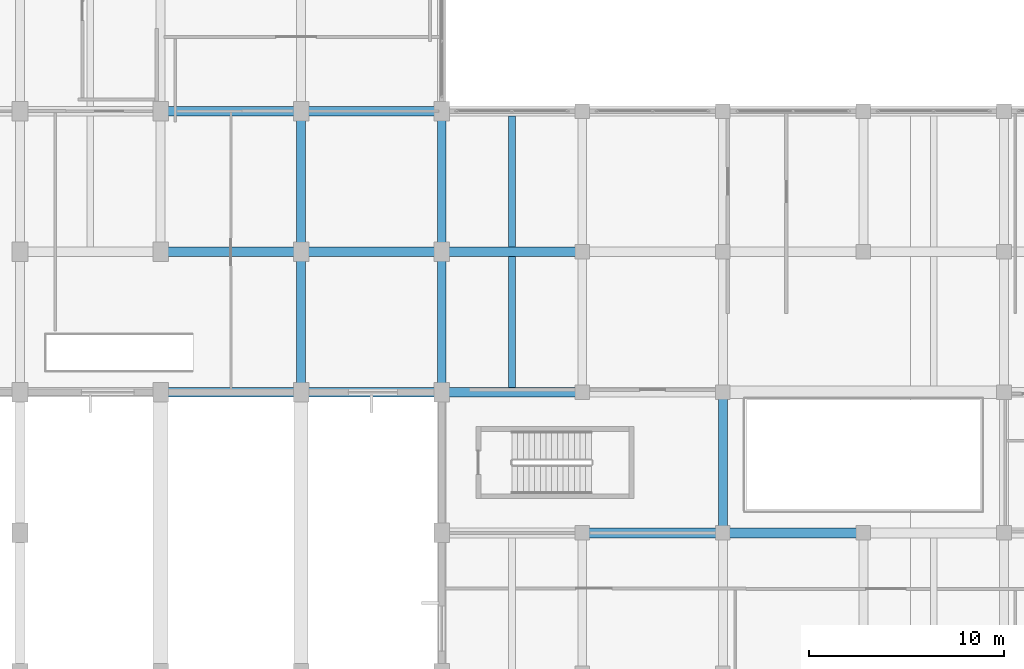
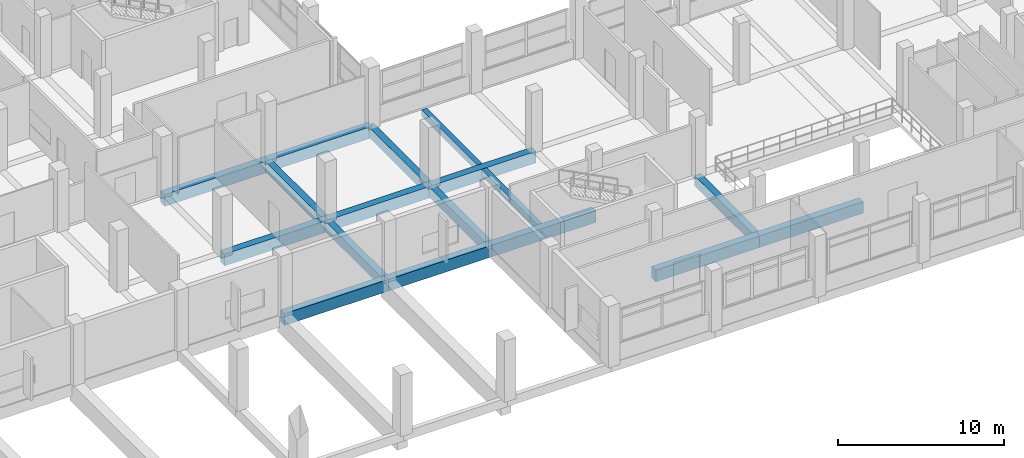
# One storey, part 11 of 141: 17 beams.
"""IFC4 building model written with IfcOpenShell, lengths in metres."""

import ifcopenshell
import ifcopenshell.guid

model = None  # the IFC model being written
_history = None  # IfcOwnerHistory: only IFC2X3 demands one
_inside = {}  # id of a spatial element -> (the spatial element, [elements in it])
_under = {}  # id of a project, library or spatial element -> (it, [spatial elements below it])
_declared = {}  # id of a project -> (the project, [libraries it declares])
_typed = {}  # id of a type object -> (the type object, [elements of that type])
_made_of = {}  # id of a material, layer set ... -> (it, [elements and type objects made of it])


def new_model(schema):
    """Start an empty IFC model of exactly this schema.

    Asked for "IFC4X3", IfcOpenShell would pick the latest addendum, in which some entities
    have other attributes; the version numbers below select the first issue.
    IFC2X3 requires an IfcOwnerHistory on every rooted entity: one is made here for all.
    """
    global model, _history
    if schema == "IFC4X3":
        model = ifcopenshell.file(schema_version=(4, 3, 0, 0))
    else:
        model = ifcopenshell.file(schema=schema)
    _inside.clear()
    _under.clear()
    _declared.clear()
    _typed.clear()
    _made_of.clear()
    _history = None
    if model.schema == "IFC2X3":
        org = make("IfcOrganization", Name="unknown")
        user = make(
            "IfcPersonAndOrganization",
            ThePerson=make("IfcPerson", FamilyName="unknown"),
            TheOrganization=org,
        )
        app = make(
            "IfcApplication",
            ApplicationDeveloper=org,
            Version="unknown",
            ApplicationFullName="unknown",
            ApplicationIdentifier="unknown",
        )
        _history = make(
            "IfcOwnerHistory",
            OwningUser=user,
            OwningApplication=app,
            ChangeAction="ADDED",
            CreationDate=0,
        )
    return model


def make(cls, **values):
    """One entity of the class cls with the attributes given. An attribute that is None is left unset."""
    return model.create_entity(
        cls, **{name: value for name, value in values.items() if value is not None}
    )


def rooted(cls, **values):
    """An entity with a GlobalId (a new one), such as an element, a storey or a relation."""
    return make(cls, GlobalId=ifcopenshell.guid.new(), OwnerHistory=_history, **values)


def si_unit(unit_type, name, prefix=None):
    """IfcSIUnit, for example si_unit("LENGTHUNIT", "METRE", prefix="MILLI")."""
    return make("IfcSIUnit", UnitType=unit_type, Prefix=prefix, Name=name)


def assignment(units):
    """IfcUnitAssignment: the units of a project."""
    return None if units is None else make("IfcUnitAssignment", Units=units)


def point(xyz):
    """IfcCartesianPoint."""
    return None if xyz is None else make("IfcCartesianPoint", Coordinates=xyz)


def direction(xyz):
    """IfcDirection."""
    return None if xyz is None else make("IfcDirection", DirectionRatios=xyz)


def frame(location, z_axis=None, x_axis=None):
    """IfcAxis2Placement3D, a coordinate frame: its origin and axes. An axis left out is left unset."""
    return make(
        "IfcAxis2Placement3D",
        Location=point(location),
        Axis=direction(z_axis),
        RefDirection=direction(x_axis),
    )


def frame_2d(location, x_axis=None):
    """IfcAxis2Placement2D, a coordinate frame in the plane: its origin and x axis."""
    return make(
        "IfcAxis2Placement2D", Location=point(location), RefDirection=direction(x_axis)
    )


def origin():
    """The frame at (0, 0, 0) with its axes left unset."""
    return frame((0.0, 0.0, 0.0))


def origin_2d():
    """The frame at (0, 0) in the plane with its x axis left unset."""
    return frame_2d((0.0, 0.0))


def place(relative_to, where):
    """IfcLocalPlacement: puts the frame where relative to a parent placement (None: the world)."""
    return make(
        "IfcLocalPlacement", PlacementRelTo=relative_to, RelativePlacement=where
    )


def context(
    kind, dimensions, precision=None, world=None, true_north=None, identifier=None
):
    """IfcGeometricRepresentationContext, for example the 3D "Model" context."""
    return make(
        "IfcGeometricRepresentationContext",
        ContextIdentifier=identifier,
        ContextType=kind,
        CoordinateSpaceDimension=dimensions,
        Precision=precision,
        WorldCoordinateSystem=world,
        TrueNorth=true_north,
    )


def subcontext(parent, identifier, kind, view, scale=None):
    """IfcGeometricRepresentationSubContext, for example "Body" below "Model"."""
    return make(
        "IfcGeometricRepresentationSubContext",
        ContextIdentifier=identifier,
        ContextType=kind,
        ParentContext=parent,
        TargetScale=scale,
        TargetView=view,
    )


def project(units=None, contexts=None):
    """IfcProject with its units and contexts."""
    return rooted(
        "IfcProject",
        Name="project",
        RepresentationContexts=contexts,
        UnitsInContext=assignment(units),
    )


def spatial(cls, under=None, at=None, **own):
    """A site, building, storey or space (cls), placed at a placement, below another one or the project."""
    s = rooted(cls, ObjectPlacement=at, **own)
    if under is not None:
        _under.setdefault(under.id(), (under, []))[1].append(s)
    return s


def profile(cls, at=None, kind="AREA", **sizes):
    """A parametric profile (cls). Its sizes go by their IFC names, for example OverallWidth=200.0."""
    return make(cls, ProfileType=kind, Position=at, **sizes)


def rectangle(**sizes):
    """IfcRectangleProfileDef."""
    return profile("IfcRectangleProfileDef", **sizes)


def extrude(swept, where, along, depth):
    """IfcExtrudedAreaSolid: the profile swept, set in the frame where, extruded along a direction by depth."""
    return make(
        "IfcExtrudedAreaSolid",
        SweptArea=swept,
        Position=where,
        ExtrudedDirection=direction(along),
        Depth=depth,
    )


def shape(context_of_items, identifier, shape_type, items):
    """IfcShapeRepresentation: the items that make up one representation, for example the "Body"."""
    return make(
        "IfcShapeRepresentation",
        ContextOfItems=context_of_items,
        RepresentationIdentifier=identifier,
        RepresentationType=shape_type,
        Items=items,
    )


def material(Name=None, Category=None):
    """IfcMaterial."""
    return make("IfcMaterial", Name=Name, Category=Category)


def material_profile(
    of_material, cross_section, Name=None, Category=None, Priority=None
):
    """IfcMaterialProfile: a cross section and its material."""
    return make(
        "IfcMaterialProfile",
        Name=Name,
        Material=of_material,
        Profile=cross_section,
        Priority=Priority,
        Category=Category,
    )


def profile_set(profiles, Name=None, composite=None):
    """IfcMaterialProfileSet."""
    return make(
        "IfcMaterialProfileSet",
        Name=Name,
        MaterialProfiles=profiles,
        CompositeProfile=composite,
    )


def made_of(thing, what):
    """Note that an element or type object is made of a material, layer set ...; save() writes the relation."""
    if what is not None:
        _made_of.setdefault(what.id(), (what, []))[1].append(thing)
    return thing


def type_object(cls, material=None, **own):
    """A type object (cls), such as IfcWallType, which elements share."""
    return made_of(rooted(cls, **own), material)


def element(
    cls,
    number,
    at=None,
    inside=None,
    cuts=None,
    type_object=None,
    material=None,
    context=None,
    identifier="Body",
    shape_type=None,
    held_by="IfcProductDefinitionShape",
    body=None,
    shapes=None,
    **own,
):
    """One element of the class cls, such as IfcWall. Its Tag is "e" and its number.

    at: its placement. inside: the storey or other place that contains it. cuts: it is an
    opening in that element (IfcRelVoidsElement). A single representation is given by context,
    identifier, shape_type and body (its items); several are given by shapes. held_by: the class
    of the entity that holds the representations. save() writes the other relations.
    """
    e = rooted(cls, Tag="e%d" % number, ObjectPlacement=at, **own)
    if body is not None:
        shapes = [shape(context, identifier, shape_type, body)]
    if shapes is not None:
        e.Representation = make(held_by, Representations=shapes)
    if inside is not None:
        _inside.setdefault(inside.id(), (inside, []))[1].append(e)
    if cuts is not None:
        rooted(
            "IfcRelVoidsElement", RelatingBuildingElement=cuts, RelatedOpeningElement=e
        )
    if type_object is not None:
        _typed.setdefault(type_object.id(), (type_object, []))[1].append(e)
    return made_of(e, material)


def aggregate(whole, parts):
    """IfcRelAggregates: a whole, such as a stair, and the parts it consists of."""
    return rooted("IfcRelAggregates", RelatingObject=whole, RelatedObjects=parts)


def save(model, path):
    """Write the relations noted so far, then the file.

    IfcRelAggregates (storeys below a building ...), IfcRelContainedInSpatialStructure (elements
    in a storey), IfcRelDefinesByType, IfcRelAssociatesMaterial and IfcRelDeclares: one each for
    every whole, place, type object, material and project.
    """
    for whole, parts in _under.values():
        aggregate(whole, parts)
    for where, things in _inside.values():
        rooted(
            "IfcRelContainedInSpatialStructure",
            RelatedElements=things,
            RelatingStructure=where,
        )
    for kind, things in _typed.values():
        rooted("IfcRelDefinesByType", RelatedObjects=things, RelatingType=kind)
    for what, things in _made_of.values():
        rooted("IfcRelAssociatesMaterial", RelatedObjects=things, RelatingMaterial=what)
    for by, libraries in _declared.values():
        rooted("IfcRelDeclares", RelatingContext=by, RelatedDefinitions=libraries)
    model.write(path)


model = new_model("IFC4")

# Units and contexts
model_context = context("Model", 3, precision=1e-05, world=origin(), true_north=direction((0.0, 1.0)))
body_context = subcontext(model_context, "Body", "Model", "MODEL_VIEW")
ifc_project = project(units=[si_unit("LENGTHUNIT", "METRE"), si_unit("AREAUNIT", "SQUARE_METRE"), si_unit("VOLUMEUNIT", "CUBIC_METRE"), si_unit("PLANEANGLEUNIT", "RADIAN"), si_unit("MASSUNIT", "GRAM", prefix="KILO")], contexts=[model_context])

# Site, building, storey
site_placement = place(None, origin())
site = spatial("IfcSite", under=ifc_project, at=site_placement, CompositionType="ELEMENT")
building_placement = place(site_placement, origin())
building = spatial("IfcBuilding", under=site, at=building_placement, Name="Seraya Terrace Polytechnic", CompositionType="ELEMENT")
storey_placement = place(building_placement, frame((0.0, 0.0, 14.39990234375)))
storey = spatial("IfcBuildingStorey", under=building, at=storey_placement, Name="L03", CompositionType="ELEMENT", Elevation=14.39990234375)

# Beams
ifc_material = material(Name="Concrete C40/50", Category="concrete")
ifc_material_profile_1 = material_profile(ifc_material, rectangle(XDim=0.5, YDim=0.85009765625, at=origin_2d()), Name="RC 500x850")
ifc_profile_set_1 = profile_set([ifc_material_profile_1], Name="Concrete C40/50")
beam_type_1 = type_object("IfcBeamType", Name="BM-05", PredefinedType="BEAM", material=ifc_profile_set_1)
beam_1_placement = place(storey_placement, frame((50.39990234375, 7.199951171875, -0.4248046875), z_axis=(1.0, 0.0, 0.0), x_axis=(0.0, 1.0, 0.0)))
element("IfcBeam", 1, at=beam_1_placement, inside=storey, type_object=beam_type_1, Name="Beam BM-05 L03 X (50.4..57.6, 7.2)", PredefinedType="BEAM", context=body_context, shape_type="SweptSolid", body=[
    extrude(rectangle(XDim=0.5, YDim=0.85009765625, at=origin_2d()), origin(), (0.0, 0.0, 1.0), 7.2001953125),
])
for number, where, z_axis, x_axis, name in (
    (2, (57.60009765625, 7.199951171875, -0.4248046875), (1.0, 0.0, 0.0), (0.0, 1.0, 0.0), "Beam BM-05 L03 X (57.6..64.8, 7.2)"),
    (3, (28.800048828125, 14.39990234375, -0.4248046875), (1.0, 0.0, 0.0), (0.0, 1.0, 0.0), "Beam BM-05 L03 X (28.8..36.0, 14.4)"),
    (4, (36.0, 14.39990234375, -0.4248046875), (1.0, 0.0, 0.0), (0.0, 1.0, 0.0), "Beam BM-05 L03 X (36.0..43.2, 14.4)"),
    (5, (43.199951171875, 14.39990234375, -0.4248046875), (1.0, 0.0, 0.0), (0.0, 1.0, 0.0), "Beam BM-05 L03 X (43.2..50.4, 14.4)"),
    (6, (28.800048828125, 21.60009765625, -0.4248046875), (1.0, 0.0, 0.0), (0.0, 1.0, 0.0), "Beam BM-05 L03 X (28.8..36.0, 21.6)"),
    (7, (36.0, 21.60009765625, -0.4248046875), (1.0, 0.0, 0.0), (0.0, 1.0, 0.0), "Beam BM-05 L03 X (36.0..43.2, 21.6)"),
    (8, (43.199951171875, 21.60009765625, -0.4248046875), (1.0, 0.0, 0.0), (0.0, 1.0, 0.0), "Beam BM-05 L03 X (43.2..50.4, 21.6)"),
    (9, (28.800048828125, 28.800048828125, -0.4248046875), (1.0, 0.0, 0.0), (0.0, 1.0, 0.0), "Beam BM-05 L03 X (28.8..36.0, 28.8)"),
    (10, (36.0, 28.800048828125, -0.4248046875), (1.0, 0.0, 0.0), (0.0, 1.0, 0.0), "Beam BM-05 L03 X (36.0..43.2, 28.8)"),
):
    element("IfcBeam", number, at=place(storey_placement, frame(where, z_axis=z_axis, x_axis=x_axis)), inside=storey, type_object=beam_type_1, Name=name, PredefinedType="BEAM", context=body_context, shape_type="SweptSolid", body=[
        extrude(rectangle(XDim=0.5, YDim=0.85009765625, at=origin_2d()), origin(), (0.0, 0.0, 1.0), 7.199951171875),
    ])
ifc_material_profile_2 = material_profile(ifc_material, rectangle(XDim=0.449951171875, YDim=0.75, at=origin_2d()), Name="RC 450x750")
ifc_profile_set_2 = profile_set([ifc_material_profile_2], Name="Concrete C40/50")
beam_type_2 = type_object("IfcBeamType", Name="BM-08", PredefinedType="BEAM", material=ifc_profile_set_2)
beam_2_placement = place(storey_placement, frame((36.0, 14.39990234375, -0.375), z_axis=(0.0, 1.0, 0.0), x_axis=(-1.0, 0.0, 0.0)))
element("IfcBeam", 11, at=beam_2_placement, inside=storey, type_object=beam_type_2, Name="Beam BM-08 L03 Y (36.0, 14.4..21.6)", PredefinedType="BEAM", context=body_context, shape_type="SweptSolid", body=[
    extrude(rectangle(XDim=0.449951171875, YDim=0.75, at=origin_2d()), origin(), (0.0, 0.0, 1.0), 7.2001953125),
])
beam_3_placement = place(storey_placement, frame((36.0, 21.60009765625, -0.375), z_axis=(0.0, 1.0, 0.0), x_axis=(-1.0, 0.0, 0.0)))
element("IfcBeam", 12, at=beam_3_placement, inside=storey, type_object=beam_type_2, Name="Beam BM-08 L03 Y (36.0, 21.6..28.8)", PredefinedType="BEAM", context=body_context, shape_type="SweptSolid", body=[
    extrude(rectangle(XDim=0.449951171875, YDim=0.75, at=origin_2d()), origin(), (0.0, 0.0, 1.0), 7.199951171875),
])
beam_4_placement = place(storey_placement, frame((43.199951171875, 14.39990234375, -0.375), z_axis=(0.0, 1.0, 0.0), x_axis=(-1.0, 0.0, 0.0)))
element("IfcBeam", 13, at=beam_4_placement, inside=storey, type_object=beam_type_2, Name="Beam BM-08 L03 Y (43.2, 14.4..21.6)", PredefinedType="BEAM", context=body_context, shape_type="SweptSolid", body=[
    extrude(rectangle(XDim=0.449951171875, YDim=0.75, at=origin_2d()), origin(), (0.0, 0.0, 1.0), 7.2001953125),
])
for number, where, z_axis, x_axis, name in (
    (14, (43.199951171875, 21.60009765625, -0.375), (0.0, 1.0, 0.0), (-1.0, 0.0, 0.0), "Beam BM-08 L03 Y (43.2, 21.6..28.8)"),
    (15, (57.60009765625, 7.199951171875, -0.375), (0.0, 1.0, 0.0), (-1.0, 0.0, 0.0), "Beam BM-08 L03 Y (57.6, 7.2..14.4)"),
):
    element("IfcBeam", number, at=place(storey_placement, frame(where, z_axis=z_axis, x_axis=x_axis)), inside=storey, type_object=beam_type_2, Name=name, PredefinedType="BEAM", context=body_context, shape_type="SweptSolid", body=[
        extrude(rectangle(XDim=0.449951171875, YDim=0.75, at=origin_2d()), origin(), (0.0, 0.0, 1.0), 7.199951171875),
    ])
ifc_material_profile_3 = material_profile(ifc_material, rectangle(XDim=0.35009765625, YDim=0.5, at=origin_2d()), Name="RC 350x500")
ifc_profile_set_3 = profile_set([ifc_material_profile_3], Name="Concrete C40/50")
beam_type_3 = type_object("IfcBeamType", Name="JS-03", PredefinedType="JOIST", material=ifc_profile_set_3)
beam_5_placement = place(storey_placement, frame((46.800048828125, 14.64990234375, -0.25), z_axis=(0.0, 1.0, 0.0), x_axis=(-1.0, 0.0, 0.0)))
element("IfcBeam", 16, at=beam_5_placement, inside=storey, type_object=beam_type_3, Name="Secondary joist JS-03 L03", PredefinedType="JOIST", context=body_context, shape_type="SweptSolid", body=[
    extrude(rectangle(XDim=0.35009765625, YDim=0.5, at=origin_2d()), origin(), (0.0, 0.0, 1.0), 6.7001953125),
])
beam_6_placement = place(storey_placement, frame((46.800048828125, 21.85009765625, -0.25), z_axis=(0.0, 1.0, 0.0), x_axis=(-1.0, 0.0, 0.0)))
element("IfcBeam", 17, at=beam_6_placement, inside=storey, type_object=beam_type_3, Name="Secondary joist JS-03 L03", PredefinedType="JOIST", context=body_context, shape_type="SweptSolid", body=[
    extrude(rectangle(XDim=0.35009765625, YDim=0.5, at=origin_2d()), origin(), (0.0, 0.0, 1.0), 6.699951171875),
])

save(model, "model.ifc")
